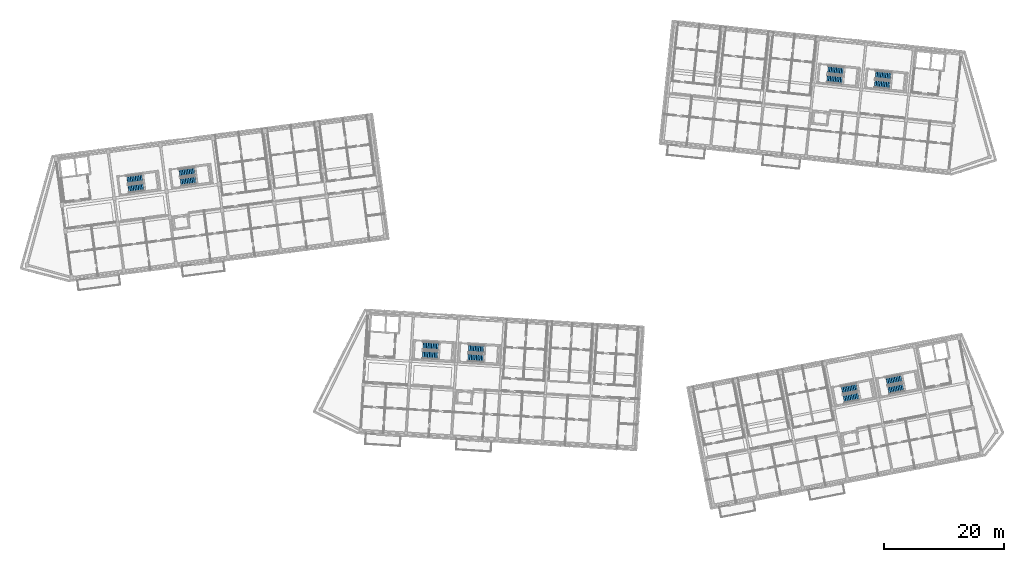
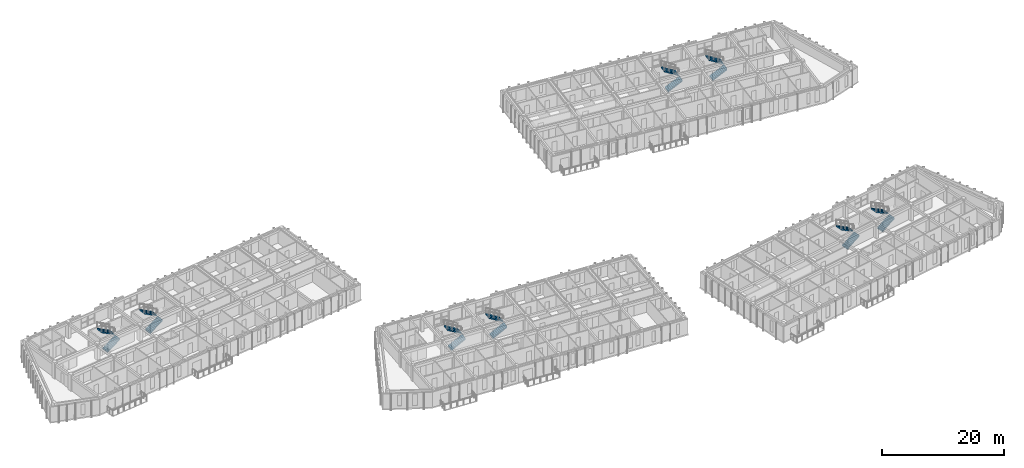
# One storey, part 40 of 66: 16 stair flights, 8 elements without a shape of their own.
"""IFC4 building model written with IfcOpenShell, lengths in metres."""

import ifcopenshell
import ifcopenshell.guid

model = None  # the IFC model being written
_history = None  # IfcOwnerHistory: only IFC2X3 demands one
_inside = {}  # id of a spatial element -> (the spatial element, [elements in it])
_under = {}  # id of a project, library or spatial element -> (it, [spatial elements below it])
_declared = {}  # id of a project -> (the project, [libraries it declares])
_typed = {}  # id of a type object -> (the type object, [elements of that type])
_made_of = {}  # id of a material, layer set ... -> (it, [elements and type objects made of it])


def new_model(schema):
    """Start an empty IFC model of exactly this schema.

    Asked for "IFC4X3", IfcOpenShell would pick the latest addendum, in which some entities
    have other attributes; the version numbers below select the first issue.
    IFC2X3 requires an IfcOwnerHistory on every rooted entity: one is made here for all.
    """
    global model, _history
    if schema == "IFC4X3":
        model = ifcopenshell.file(schema_version=(4, 3, 0, 0))
    else:
        model = ifcopenshell.file(schema=schema)
    _inside.clear()
    _under.clear()
    _declared.clear()
    _typed.clear()
    _made_of.clear()
    _history = None
    if model.schema == "IFC2X3":
        org = make("IfcOrganization", Name="unknown")
        user = make(
            "IfcPersonAndOrganization",
            ThePerson=make("IfcPerson", FamilyName="unknown"),
            TheOrganization=org,
        )
        app = make(
            "IfcApplication",
            ApplicationDeveloper=org,
            Version="unknown",
            ApplicationFullName="unknown",
            ApplicationIdentifier="unknown",
        )
        _history = make(
            "IfcOwnerHistory",
            OwningUser=user,
            OwningApplication=app,
            ChangeAction="ADDED",
            CreationDate=0,
        )
    return model


def make(cls, **values):
    """One entity of the class cls with the attributes given. An attribute that is None is left unset."""
    return model.create_entity(
        cls, **{name: value for name, value in values.items() if value is not None}
    )


def rooted(cls, **values):
    """An entity with a GlobalId (a new one), such as an element, a storey or a relation."""
    return make(cls, GlobalId=ifcopenshell.guid.new(), OwnerHistory=_history, **values)


def si_unit(unit_type, name, prefix=None):
    """IfcSIUnit, for example si_unit("LENGTHUNIT", "METRE", prefix="MILLI")."""
    return make("IfcSIUnit", UnitType=unit_type, Prefix=prefix, Name=name)


def assignment(units):
    """IfcUnitAssignment: the units of a project."""
    return None if units is None else make("IfcUnitAssignment", Units=units)


def point(xyz):
    """IfcCartesianPoint."""
    return None if xyz is None else make("IfcCartesianPoint", Coordinates=xyz)


def direction(xyz):
    """IfcDirection."""
    return None if xyz is None else make("IfcDirection", DirectionRatios=xyz)


def frame(location, z_axis=None, x_axis=None):
    """IfcAxis2Placement3D, a coordinate frame: its origin and axes. An axis left out is left unset."""
    return make(
        "IfcAxis2Placement3D",
        Location=point(location),
        Axis=direction(z_axis),
        RefDirection=direction(x_axis),
    )


def origin():
    """The frame at (0, 0, 0) with its axes left unset."""
    return frame((0.0, 0.0, 0.0))


def place(relative_to, where):
    """IfcLocalPlacement: puts the frame where relative to a parent placement (None: the world)."""
    return make(
        "IfcLocalPlacement", PlacementRelTo=relative_to, RelativePlacement=where
    )


def context(
    kind, dimensions, precision=None, world=None, true_north=None, identifier=None
):
    """IfcGeometricRepresentationContext, for example the 3D "Model" context."""
    return make(
        "IfcGeometricRepresentationContext",
        ContextIdentifier=identifier,
        ContextType=kind,
        CoordinateSpaceDimension=dimensions,
        Precision=precision,
        WorldCoordinateSystem=world,
        TrueNorth=true_north,
    )


def subcontext(parent, identifier, kind, view, scale=None):
    """IfcGeometricRepresentationSubContext, for example "Body" below "Model"."""
    return make(
        "IfcGeometricRepresentationSubContext",
        ContextIdentifier=identifier,
        ContextType=kind,
        ParentContext=parent,
        TargetScale=scale,
        TargetView=view,
    )


def project(units=None, contexts=None):
    """IfcProject with its units and contexts."""
    return rooted(
        "IfcProject",
        Name="project",
        RepresentationContexts=contexts,
        UnitsInContext=assignment(units),
    )


def spatial(cls, under=None, at=None, **own):
    """A site, building, storey or space (cls), placed at a placement, below another one or the project."""
    s = rooted(cls, ObjectPlacement=at, **own)
    if under is not None:
        _under.setdefault(under.id(), (under, []))[1].append(s)
    return s


def polyline(points):
    """IfcPolyline through the points."""
    return make("IfcPolyline", Points=[point(p) for p in points])


def outline(outer, holes=None, kind="AREA"):
    """IfcArbitraryClosedProfileDef: a profile drawn as a closed curve; with holes, ...WithVoids."""
    if holes is None:
        return make("IfcArbitraryClosedProfileDef", ProfileType=kind, OuterCurve=outer)
    return make(
        "IfcArbitraryProfileDefWithVoids",
        ProfileType=kind,
        OuterCurve=outer,
        InnerCurves=holes,
    )


def extrude(swept, where, along, depth):
    """IfcExtrudedAreaSolid: the profile swept, set in the frame where, extruded along a direction by depth."""
    return make(
        "IfcExtrudedAreaSolid",
        SweptArea=swept,
        Position=where,
        ExtrudedDirection=direction(along),
        Depth=depth,
    )


def shape(context_of_items, identifier, shape_type, items):
    """IfcShapeRepresentation: the items that make up one representation, for example the "Body"."""
    return make(
        "IfcShapeRepresentation",
        ContextOfItems=context_of_items,
        RepresentationIdentifier=identifier,
        RepresentationType=shape_type,
        Items=items,
    )


def material(Name=None, Category=None):
    """IfcMaterial."""
    return make("IfcMaterial", Name=Name, Category=Category)


def made_of(thing, what):
    """Note that an element or type object is made of a material, layer set ...; save() writes the relation."""
    if what is not None:
        _made_of.setdefault(what.id(), (what, []))[1].append(thing)
    return thing


def type_object(cls, material=None, **own):
    """A type object (cls), such as IfcWallType, which elements share."""
    return made_of(rooted(cls, **own), material)


def element(
    cls,
    number,
    at=None,
    inside=None,
    cuts=None,
    type_object=None,
    material=None,
    context=None,
    identifier="Body",
    shape_type=None,
    held_by="IfcProductDefinitionShape",
    body=None,
    shapes=None,
    **own,
):
    """One element of the class cls, such as IfcWall. Its Tag is "e" and its number.

    at: its placement. inside: the storey or other place that contains it. cuts: it is an
    opening in that element (IfcRelVoidsElement). A single representation is given by context,
    identifier, shape_type and body (its items); several are given by shapes. held_by: the class
    of the entity that holds the representations. save() writes the other relations.
    """
    e = rooted(cls, Tag="e%d" % number, ObjectPlacement=at, **own)
    if body is not None:
        shapes = [shape(context, identifier, shape_type, body)]
    if shapes is not None:
        e.Representation = make(held_by, Representations=shapes)
    if inside is not None:
        _inside.setdefault(inside.id(), (inside, []))[1].append(e)
    if cuts is not None:
        rooted(
            "IfcRelVoidsElement", RelatingBuildingElement=cuts, RelatedOpeningElement=e
        )
    if type_object is not None:
        _typed.setdefault(type_object.id(), (type_object, []))[1].append(e)
    return made_of(e, material)


def aggregate(whole, parts):
    """IfcRelAggregates: a whole, such as a stair, and the parts it consists of."""
    return rooted("IfcRelAggregates", RelatingObject=whole, RelatedObjects=parts)


def save(model, path):
    """Write the relations noted so far, then the file.

    IfcRelAggregates (storeys below a building ...), IfcRelContainedInSpatialStructure (elements
    in a storey), IfcRelDefinesByType, IfcRelAssociatesMaterial and IfcRelDeclares: one each for
    every whole, place, type object, material and project.
    """
    for whole, parts in _under.values():
        aggregate(whole, parts)
    for where, things in _inside.values():
        rooted(
            "IfcRelContainedInSpatialStructure",
            RelatedElements=things,
            RelatingStructure=where,
        )
    for kind, things in _typed.values():
        rooted("IfcRelDefinesByType", RelatedObjects=things, RelatingType=kind)
    for what, things in _made_of.values():
        rooted("IfcRelAssociatesMaterial", RelatedObjects=things, RelatingMaterial=what)
    for by, libraries in _declared.values():
        rooted("IfcRelDeclares", RelatingContext=by, RelatedDefinitions=libraries)
    model.write(path)


model = new_model("IFC4")

# Units and contexts
model_context = context("Model", 3, precision=1e-05, world=origin(), true_north=direction((0.0, 1.0)))
body_context = subcontext(model_context, "Body", "Model", "MODEL_VIEW")
ifc_project = project(units=[si_unit("LENGTHUNIT", "METRE"), si_unit("AREAUNIT", "SQUARE_METRE"), si_unit("VOLUMEUNIT", "CUBIC_METRE"), si_unit("PLANEANGLEUNIT", "RADIAN"), si_unit("MASSUNIT", "GRAM", prefix="KILO")], contexts=[model_context])

# Site, building, storey
site_placement = place(None, origin())
site = spatial("IfcSite", under=ifc_project, at=site_placement, CompositionType="ELEMENT")
building_placement = place(site_placement, origin())
building = spatial("IfcBuilding", under=site, at=building_placement, Name="Kestramere Prow Commons", CompositionType="ELEMENT")
storey_placement = place(building_placement, frame((0.0, 0.0, 14.89990234375)))
storey = spatial("IfcBuildingStorey", under=building, at=storey_placement, Name="L04", CompositionType="ELEMENT", Elevation=14.89990234375)

# Stair, stair flights
ifc_material = material(Name="Concrete C40/50", Category="concrete")
stair_type = type_object("IfcStairType", Name="ST-DOG-1350", PredefinedType="HALF_TURN_STAIR", material=ifc_material)
stair_1_placement = place(storey_placement, origin())
stair_1 = element("IfcStair", 1, at=stair_1_placement, inside=storey, type_object=stair_type, Name="L04 Block A Exit Stair 1", PredefinedType="HALF_TURN_STAIR")
stair_flight_type = type_object("IfcStairFlightType", Name="SFL-1350", PredefinedType="STRAIGHT", material=ifc_material)
stair_flight_1_placement = place(storey_placement, frame((20.70068359375, 86.79150390625, 0.0), z_axis=(0.0, 0.0, 1.0), x_axis=(0.991444861374, 0.13052619222, 0.0)))
stair_flight_1 = element("IfcStairFlight", 2, at=stair_flight_1_placement, type_object=stair_flight_type, Name="ST-A1 flight 1", NumberOfRisers=10, NumberOfTreads=9, PredefinedType="STRAIGHT", RiserHeight=0.1625, TreadLength=0.28, context=body_context, shape_type="SweptSolid", body=[
    extrude(outline(polyline([(-0.02490234375, 0.0), (0.0, 0.0), (0.0, 0.16259765625), (0.280029296875, 0.16259765625), (0.280029296875, 0.324951171875), (0.56005859375, 0.324951171875), (0.56005859375, 0.487548828125), (0.840087890625, 0.487548828125), (0.840087890625, 0.64990234375), (1.1201171875, 0.64990234375), (1.1201171875, 0.8125), (1.39990234375, 0.8125), (1.39990234375, 0.97509765625), (1.679931640625, 0.97509765625), (1.679931640625, 1.137451171875), (1.9599609375, 1.137451171875), (1.9599609375, 1.300048828125), (2.239990234375, 1.300048828125), (2.239990234375, 1.46240234375), (2.52001953125, 1.46240234375), (2.52001953125, 1.625), (2.544921875, 1.625), (2.544921875, 1.2890625), (0.0, -0.14990234375), (-0.02490234375, -0.14990234375), (-0.02490234375, 0.0)])), frame((0.0, 0.675048828125, 0.0), z_axis=(0.0, -1.0, 0.0), x_axis=(1.0, 0.0, 0.0)), (0.0, 0.0, 1.0), 1.35009765625),
])
stair_flight_2_placement = place(storey_placement, frame((23.003173828125, 88.607666015625, 1.625), z_axis=(0.0, 0.0, 1.0), x_axis=(-0.991444861374, -0.13052619222, 0.0)))
stair_flight_2 = element("IfcStairFlight", 3, at=stair_flight_2_placement, type_object=stair_flight_type, Name="ST-A1 flight 2", NumberOfRisers=10, NumberOfTreads=9, PredefinedType="STRAIGHT", RiserHeight=0.1625, TreadLength=0.28, context=body_context, shape_type="SweptSolid", body=[
    extrude(outline(polyline([(-0.02490234375, 0.0), (0.0, 0.0), (0.0, 0.16259765625), (0.280029296875, 0.16259765625), (0.280029296875, 0.324951171875), (0.56005859375, 0.324951171875), (0.56005859375, 0.487548828125), (0.840087890625, 0.487548828125), (0.840087890625, 0.64990234375), (1.1201171875, 0.64990234375), (1.1201171875, 0.8125), (1.39990234375, 0.8125), (1.39990234375, 0.97509765625), (1.679931640625, 0.97509765625), (1.679931640625, 1.137451171875), (1.9599609375, 1.137451171875), (1.9599609375, 1.300048828125), (2.239990234375, 1.300048828125), (2.239990234375, 1.46240234375), (2.52001953125, 1.46240234375), (2.52001953125, 1.625), (2.544921875, 1.625), (2.544921875, 1.2890625), (0.0, -0.14990234375), (-0.02490234375, -0.14990234375), (-0.02490234375, 0.0)])), frame((0.0, 0.675048828125, 0.0), z_axis=(0.0, -1.0, 0.0), x_axis=(1.0, 0.0, 0.0)), (0.0, 0.0, 1.0), 1.35009765625),
])
aggregate(stair_1, [stair_flight_1, stair_flight_2])

stair_2_placement = place(storey_placement, origin())
stair_2 = element("IfcStair", 4, at=stair_2_placement, inside=storey, type_object=stair_type, Name="L04 Block A Exit Stair 2", PredefinedType="HALF_TURN_STAIR")
stair_flight_3_placement = place(storey_placement, frame((29.42529296875, 87.940185546875, 0.0), z_axis=(0.0, 0.0, 1.0), x_axis=(0.991444861374, 0.13052619222, 0.0)))
stair_flight_3 = element("IfcStairFlight", 5, at=stair_flight_3_placement, type_object=stair_flight_type, Name="ST-A2 flight 1", NumberOfRisers=10, NumberOfTreads=9, PredefinedType="STRAIGHT", RiserHeight=0.1625, TreadLength=0.28, context=body_context, shape_type="SweptSolid", body=[
    extrude(outline(polyline([(-0.02490234375, 0.0), (0.0, 0.0), (0.0, 0.16259765625), (0.280029296875, 0.16259765625), (0.280029296875, 0.324951171875), (0.56005859375, 0.324951171875), (0.56005859375, 0.487548828125), (0.840087890625, 0.487548828125), (0.840087890625, 0.64990234375), (1.1201171875, 0.64990234375), (1.1201171875, 0.8125), (1.39990234375, 0.8125), (1.39990234375, 0.97509765625), (1.679931640625, 0.97509765625), (1.679931640625, 1.137451171875), (1.9599609375, 1.137451171875), (1.9599609375, 1.300048828125), (2.239990234375, 1.300048828125), (2.239990234375, 1.46240234375), (2.52001953125, 1.46240234375), (2.52001953125, 1.625), (2.544921875, 1.625), (2.544921875, 1.2890625), (0.0, -0.14990234375), (-0.02490234375, -0.14990234375), (-0.02490234375, 0.0)])), frame((0.0, 0.675048828125, 0.0), z_axis=(0.0, -1.0, 0.0), x_axis=(1.0, 0.0, 0.0)), (0.0, 0.0, 1.0), 1.35009765625),
])
stair_flight_4_placement = place(storey_placement, frame((31.72802734375, 89.75634765625, 1.625), z_axis=(0.0, 0.0, 1.0), x_axis=(-0.991444861374, -0.13052619222, 0.0)))
stair_flight_4 = element("IfcStairFlight", 6, at=stair_flight_4_placement, type_object=stair_flight_type, Name="ST-A2 flight 2", NumberOfRisers=10, NumberOfTreads=9, PredefinedType="STRAIGHT", RiserHeight=0.1625, TreadLength=0.28, context=body_context, shape_type="SweptSolid", body=[
    extrude(outline(polyline([(-0.02490234375, 0.0), (0.0, 0.0), (0.0, 0.16259765625), (0.280029296875, 0.16259765625), (0.280029296875, 0.324951171875), (0.56005859375, 0.324951171875), (0.56005859375, 0.487548828125), (0.840087890625, 0.487548828125), (0.840087890625, 0.64990234375), (1.1201171875, 0.64990234375), (1.1201171875, 0.8125), (1.39990234375, 0.8125), (1.39990234375, 0.97509765625), (1.679931640625, 0.97509765625), (1.679931640625, 1.137451171875), (1.9599609375, 1.137451171875), (1.9599609375, 1.300048828125), (2.239990234375, 1.300048828125), (2.239990234375, 1.46240234375), (2.52001953125, 1.46240234375), (2.52001953125, 1.625), (2.544921875, 1.625), (2.544921875, 1.2890625), (0.0, -0.14990234375), (-0.02490234375, -0.14990234375), (-0.02490234375, 0.0)])), frame((0.0, 0.675048828125, 0.0), z_axis=(0.0, -1.0, 0.0), x_axis=(1.0, 0.0, 0.0)), (0.0, 0.0, 1.0), 1.35009765625),
])
aggregate(stair_2, [stair_flight_3, stair_flight_4])

stair_3_placement = place(storey_placement, origin())
stair_3 = element("IfcStair", 7, at=stair_3_placement, inside=storey, type_object=stair_type, Name="L04 Block B Exit Stair 1", PredefinedType="HALF_TURN_STAIR")
stair_flight_5_placement = place(storey_placement, frame((137.38916015625, 105.21923828125, 0.0), z_axis=(0.0, 0.0, 1.0), x_axis=(0.994521895368, -0.104528463268, 0.0)))
stair_flight_5 = element("IfcStairFlight", 8, at=stair_flight_5_placement, type_object=stair_flight_type, Name="ST-B1 flight 1", NumberOfRisers=10, NumberOfTreads=9, PredefinedType="STRAIGHT", RiserHeight=0.1625, TreadLength=0.28, context=body_context, shape_type="SweptSolid", body=[
    extrude(outline(polyline([(-0.02490234375, 0.0), (0.0, 0.0), (0.0, 0.16259765625), (0.280029296875, 0.16259765625), (0.280029296875, 0.324951171875), (0.56005859375, 0.324951171875), (0.56005859375, 0.487548828125), (0.840087890625, 0.487548828125), (0.840087890625, 0.64990234375), (1.1201171875, 0.64990234375), (1.1201171875, 0.8125), (1.39990234375, 0.8125), (1.39990234375, 0.97509765625), (1.679931640625, 0.97509765625), (1.679931640625, 1.137451171875), (1.9599609375, 1.137451171875), (1.9599609375, 1.300048828125), (2.239990234375, 1.300048828125), (2.239990234375, 1.46240234375), (2.52001953125, 1.46240234375), (2.52001953125, 1.625), (2.544921875, 1.625), (2.544921875, 1.2890625), (0.0, -0.14990234375), (-0.02490234375, -0.14990234375), (-0.02490234375, 0.0)])), frame((0.0, 0.675048828125, 0.0), z_axis=(0.0, -1.0, 0.0), x_axis=(1.0, 0.0, 0.0)), (0.0, 0.0, 1.0), 1.35009765625),
])
stair_flight_6_placement = place(storey_placement, frame((140.052001953125, 106.447509765625, 1.625), z_axis=(0.0, 0.0, 1.0), x_axis=(-0.994521895368, 0.104528463268, 0.0)))
stair_flight_6 = element("IfcStairFlight", 9, at=stair_flight_6_placement, type_object=stair_flight_type, Name="ST-B1 flight 2", NumberOfRisers=10, NumberOfTreads=9, PredefinedType="STRAIGHT", RiserHeight=0.1625, TreadLength=0.28, context=body_context, shape_type="SweptSolid", body=[
    extrude(outline(polyline([(-0.02490234375, 0.0), (0.0, 0.0), (0.0, 0.16259765625), (0.280029296875, 0.16259765625), (0.280029296875, 0.324951171875), (0.56005859375, 0.324951171875), (0.56005859375, 0.487548828125), (0.840087890625, 0.487548828125), (0.840087890625, 0.64990234375), (1.1201171875, 0.64990234375), (1.1201171875, 0.8125), (1.39990234375, 0.8125), (1.39990234375, 0.97509765625), (1.679931640625, 0.97509765625), (1.679931640625, 1.137451171875), (1.9599609375, 1.137451171875), (1.9599609375, 1.300048828125), (2.239990234375, 1.300048828125), (2.239990234375, 1.46240234375), (2.52001953125, 1.46240234375), (2.52001953125, 1.625), (2.544921875, 1.625), (2.544921875, 1.2890625), (0.0, -0.14990234375), (-0.02490234375, -0.14990234375), (-0.02490234375, 0.0)])), frame((0.0, 0.675048828125, 0.0), z_axis=(0.0, -1.0, 0.0), x_axis=(1.0, 0.0, 0.0)), (0.0, 0.0, 1.0), 1.35009765625),
])
aggregate(stair_3, [stair_flight_5, stair_flight_6])

stair_4_placement = place(storey_placement, origin())
stair_4 = element("IfcStair", 10, at=stair_4_placement, inside=storey, type_object=stair_type, Name="L04 Block B Exit Stair 2", PredefinedType="HALF_TURN_STAIR")
stair_flight_7_placement = place(storey_placement, frame((145.34521484375, 104.3828125, 0.0), z_axis=(0.0, 0.0, 1.0), x_axis=(0.994521895368, -0.104528463268, 0.0)))
stair_flight_7 = element("IfcStairFlight", 11, at=stair_flight_7_placement, type_object=stair_flight_type, Name="ST-B2 flight 1", NumberOfRisers=10, NumberOfTreads=9, PredefinedType="STRAIGHT", RiserHeight=0.1625, TreadLength=0.28, context=body_context, shape_type="SweptSolid", body=[
    extrude(outline(polyline([(-0.02490234375, 0.0), (0.0, 0.0), (0.0, 0.16259765625), (0.280029296875, 0.16259765625), (0.280029296875, 0.324951171875), (0.56005859375, 0.324951171875), (0.56005859375, 0.487548828125), (0.840087890625, 0.487548828125), (0.840087890625, 0.64990234375), (1.1201171875, 0.64990234375), (1.1201171875, 0.8125), (1.39990234375, 0.8125), (1.39990234375, 0.97509765625), (1.679931640625, 0.97509765625), (1.679931640625, 1.137451171875), (1.9599609375, 1.137451171875), (1.9599609375, 1.300048828125), (2.239990234375, 1.300048828125), (2.239990234375, 1.46240234375), (2.52001953125, 1.46240234375), (2.52001953125, 1.625), (2.544921875, 1.625), (2.544921875, 1.2890625), (0.0, -0.14990234375), (-0.02490234375, -0.14990234375), (-0.02490234375, 0.0)])), frame((0.0, 0.675048828125, 0.0), z_axis=(0.0, -1.0, 0.0), x_axis=(1.0, 0.0, 0.0)), (0.0, 0.0, 1.0), 1.35009765625),
])
stair_flight_8_placement = place(storey_placement, frame((148.00830078125, 105.611328125, 1.625), z_axis=(0.0, 0.0, 1.0), x_axis=(-0.994521895368, 0.104528463268, 0.0)))
stair_flight_8 = element("IfcStairFlight", 12, at=stair_flight_8_placement, type_object=stair_flight_type, Name="ST-B2 flight 2", NumberOfRisers=10, NumberOfTreads=9, PredefinedType="STRAIGHT", RiserHeight=0.1625, TreadLength=0.28, context=body_context, shape_type="SweptSolid", body=[
    extrude(outline(polyline([(-0.02490234375, 0.0), (0.0, 0.0), (0.0, 0.16259765625), (0.280029296875, 0.16259765625), (0.280029296875, 0.324951171875), (0.56005859375, 0.324951171875), (0.56005859375, 0.487548828125), (0.840087890625, 0.487548828125), (0.840087890625, 0.64990234375), (1.1201171875, 0.64990234375), (1.1201171875, 0.8125), (1.39990234375, 0.8125), (1.39990234375, 0.97509765625), (1.679931640625, 0.97509765625), (1.679931640625, 1.137451171875), (1.9599609375, 1.137451171875), (1.9599609375, 1.300048828125), (2.239990234375, 1.300048828125), (2.239990234375, 1.46240234375), (2.52001953125, 1.46240234375), (2.52001953125, 1.625), (2.544921875, 1.625), (2.544921875, 1.2890625), (0.0, -0.14990234375), (-0.02490234375, -0.14990234375), (-0.02490234375, 0.0)])), frame((0.0, 0.675048828125, 0.0), z_axis=(0.0, -1.0, 0.0), x_axis=(1.0, 0.0, 0.0)), (0.0, 0.0, 1.0), 1.35009765625),
])
aggregate(stair_4, [stair_flight_7, stair_flight_8])

stair_5_placement = place(storey_placement, origin())
stair_5 = element("IfcStair", 13, at=stair_5_placement, inside=storey, type_object=stair_type, Name="L04 Block C Exit Stair 1", PredefinedType="HALF_TURN_STAIR")
stair_flight_9_placement = place(storey_placement, frame((69.839599609375, 59.117431640625, 0.0), z_axis=(0.0, 0.0, 1.0), x_axis=(0.998134798422, -0.061048539535, 0.0)))
stair_flight_9 = element("IfcStairFlight", 14, at=stair_flight_9_placement, type_object=stair_flight_type, Name="ST-C1 flight 1", NumberOfRisers=10, NumberOfTreads=9, PredefinedType="STRAIGHT", RiserHeight=0.1625, TreadLength=0.28, context=body_context, shape_type="SweptSolid", body=[
    extrude(outline(polyline([(-0.02490234375, 0.0), (0.0, 0.0), (0.0, 0.16259765625), (0.280029296875, 0.16259765625), (0.280029296875, 0.324951171875), (0.56005859375, 0.324951171875), (0.56005859375, 0.487548828125), (0.840087890625, 0.487548828125), (0.840087890625, 0.64990234375), (1.1201171875, 0.64990234375), (1.1201171875, 0.8125), (1.39990234375, 0.8125), (1.39990234375, 0.97509765625), (1.679931640625, 0.97509765625), (1.679931640625, 1.137451171875), (1.9599609375, 1.137451171875), (1.9599609375, 1.300048828125), (2.239990234375, 1.300048828125), (2.239990234375, 1.46240234375), (2.52001953125, 1.46240234375), (2.52001953125, 1.625), (2.544921875, 1.625), (2.544921875, 1.2890625), (0.0, -0.14990234375), (-0.02490234375, -0.14990234375), (-0.02490234375, 0.0)])), frame((0.0, 0.675048828125, 0.0), z_axis=(0.0, -1.0, 0.0), x_axis=(1.0, 0.0, 0.0)), (0.0, 0.0, 1.0), 1.35009765625),
])
stair_flight_10_placement = place(storey_placement, frame((72.446533203125, 60.460693359375, 1.625), z_axis=(0.0, 0.0, 1.0), x_axis=(-0.998134798422, 0.061048539535, 0.0)))
stair_flight_10 = element("IfcStairFlight", 15, at=stair_flight_10_placement, type_object=stair_flight_type, Name="ST-C1 flight 2", NumberOfRisers=10, NumberOfTreads=9, PredefinedType="STRAIGHT", RiserHeight=0.1625, TreadLength=0.28, context=body_context, shape_type="SweptSolid", body=[
    extrude(outline(polyline([(-0.02490234375, 0.0), (0.0, 0.0), (0.0, 0.16259765625), (0.280029296875, 0.16259765625), (0.280029296875, 0.324951171875), (0.56005859375, 0.324951171875), (0.56005859375, 0.487548828125), (0.840087890625, 0.487548828125), (0.840087890625, 0.64990234375), (1.1201171875, 0.64990234375), (1.1201171875, 0.8125), (1.39990234375, 0.8125), (1.39990234375, 0.97509765625), (1.679931640625, 0.97509765625), (1.679931640625, 1.137451171875), (1.9599609375, 1.137451171875), (1.9599609375, 1.300048828125), (2.239990234375, 1.300048828125), (2.239990234375, 1.46240234375), (2.52001953125, 1.46240234375), (2.52001953125, 1.625), (2.544921875, 1.625), (2.544921875, 1.2890625), (0.0, -0.14990234375), (-0.02490234375, -0.14990234375), (-0.02490234375, 0.0)])), frame((0.0, 0.675048828125, 0.0), z_axis=(0.0, -1.0, 0.0), x_axis=(1.0, 0.0, 0.0)), (0.0, 0.0, 1.0), 1.35009765625),
])
aggregate(stair_5, [stair_flight_9, stair_flight_10])

stair_6_placement = place(storey_placement, origin())
stair_6 = element("IfcStair", 16, at=stair_6_placement, inside=storey, type_object=stair_type, Name="L04 Block C Exit Stair 2", PredefinedType="HALF_TURN_STAIR")
stair_flight_11_placement = place(storey_placement, frame((77.42529296875, 58.6533203125, 0.0), z_axis=(0.0, 0.0, 1.0), x_axis=(0.998134798422, -0.061048539535, 0.0)))
stair_flight_11 = element("IfcStairFlight", 17, at=stair_flight_11_placement, type_object=stair_flight_type, Name="ST-C2 flight 1", NumberOfRisers=10, NumberOfTreads=9, PredefinedType="STRAIGHT", RiserHeight=0.1625, TreadLength=0.28, context=body_context, shape_type="SweptSolid", body=[
    extrude(outline(polyline([(-0.02490234375, 0.0), (0.0, 0.0), (0.0, 0.16259765625), (0.280029296875, 0.16259765625), (0.280029296875, 0.324951171875), (0.56005859375, 0.324951171875), (0.56005859375, 0.487548828125), (0.840087890625, 0.487548828125), (0.840087890625, 0.64990234375), (1.1201171875, 0.64990234375), (1.1201171875, 0.8125), (1.39990234375, 0.8125), (1.39990234375, 0.97509765625), (1.679931640625, 0.97509765625), (1.679931640625, 1.137451171875), (1.9599609375, 1.137451171875), (1.9599609375, 1.300048828125), (2.239990234375, 1.300048828125), (2.239990234375, 1.46240234375), (2.52001953125, 1.46240234375), (2.52001953125, 1.625), (2.544921875, 1.625), (2.544921875, 1.2890625), (0.0, -0.14990234375), (-0.02490234375, -0.14990234375), (-0.02490234375, 0.0)])), frame((0.0, 0.675048828125, 0.0), z_axis=(0.0, -1.0, 0.0), x_axis=(1.0, 0.0, 0.0)), (0.0, 0.0, 1.0), 1.35009765625),
])
stair_flight_12_placement = place(storey_placement, frame((80.0322265625, 59.996826171875, 1.625), z_axis=(0.0, 0.0, 1.0), x_axis=(-0.998134798422, 0.061048539535, 0.0)))
stair_flight_12 = element("IfcStairFlight", 18, at=stair_flight_12_placement, type_object=stair_flight_type, Name="ST-C2 flight 2", NumberOfRisers=10, NumberOfTreads=9, PredefinedType="STRAIGHT", RiserHeight=0.1625, TreadLength=0.28, context=body_context, shape_type="SweptSolid", body=[
    extrude(outline(polyline([(-0.02490234375, 0.0), (0.0, 0.0), (0.0, 0.16259765625), (0.280029296875, 0.16259765625), (0.280029296875, 0.324951171875), (0.56005859375, 0.324951171875), (0.56005859375, 0.487548828125), (0.840087890625, 0.487548828125), (0.840087890625, 0.64990234375), (1.1201171875, 0.64990234375), (1.1201171875, 0.8125), (1.39990234375, 0.8125), (1.39990234375, 0.97509765625), (1.679931640625, 0.97509765625), (1.679931640625, 1.137451171875), (1.9599609375, 1.137451171875), (1.9599609375, 1.300048828125), (2.239990234375, 1.300048828125), (2.239990234375, 1.46240234375), (2.52001953125, 1.46240234375), (2.52001953125, 1.625), (2.544921875, 1.625), (2.544921875, 1.2890625), (0.0, -0.14990234375), (-0.02490234375, -0.14990234375), (-0.02490234375, 0.0)])), frame((0.0, 0.675048828125, 0.0), z_axis=(0.0, -1.0, 0.0), x_axis=(1.0, 0.0, 0.0)), (0.0, 0.0, 1.0), 1.35009765625),
])
aggregate(stair_6, [stair_flight_11, stair_flight_12])

stair_7_placement = place(storey_placement, origin())
stair_7 = element("IfcStair", 19, at=stair_7_placement, inside=storey, type_object=stair_type, Name="L04 Block D Exit Stair 1", PredefinedType="HALF_TURN_STAIR")
stair_flight_13_placement = place(storey_placement, frame((140.171875, 51.70458984375, 0.0), z_axis=(0.0, 0.0, 1.0), x_axis=(0.981627183448, 0.190808995377, 0.0)))
stair_flight_13 = element("IfcStairFlight", 20, at=stair_flight_13_placement, type_object=stair_flight_type, Name="ST-D1 flight 1", NumberOfRisers=10, NumberOfTreads=9, PredefinedType="STRAIGHT", RiserHeight=0.1625, TreadLength=0.28, context=body_context, shape_type="SweptSolid", body=[
    extrude(outline(polyline([(-0.02490234375, 0.0), (0.0, 0.0), (0.0, 0.16259765625), (0.280029296875, 0.16259765625), (0.280029296875, 0.324951171875), (0.56005859375, 0.324951171875), (0.56005859375, 0.487548828125), (0.840087890625, 0.487548828125), (0.840087890625, 0.64990234375), (1.1201171875, 0.64990234375), (1.1201171875, 0.8125), (1.39990234375, 0.8125), (1.39990234375, 0.97509765625), (1.679931640625, 0.97509765625), (1.679931640625, 1.137451171875), (1.9599609375, 1.137451171875), (1.9599609375, 1.300048828125), (2.239990234375, 1.300048828125), (2.239990234375, 1.46240234375), (2.52001953125, 1.46240234375), (2.52001953125, 1.625), (2.544921875, 1.625), (2.544921875, 1.2890625), (0.0, -0.14990234375), (-0.02490234375, -0.14990234375), (-0.02490234375, 0.0)])), frame((0.0, 0.675048828125, 0.0), z_axis=(0.0, -1.0, 0.0), x_axis=(1.0, 0.0, 0.0)), (0.0, 0.0, 1.0), 1.35009765625),
])
stair_flight_14_placement = place(storey_placement, frame((142.359375, 53.65771484375, 1.625), z_axis=(0.0, 0.0, 1.0), x_axis=(-0.981627183448, -0.190808995377, 0.0)))
stair_flight_14 = element("IfcStairFlight", 21, at=stair_flight_14_placement, type_object=stair_flight_type, Name="ST-D1 flight 2", NumberOfRisers=10, NumberOfTreads=9, PredefinedType="STRAIGHT", RiserHeight=0.1625, TreadLength=0.28, context=body_context, shape_type="SweptSolid", body=[
    extrude(outline(polyline([(-0.02490234375, 0.0), (0.0, 0.0), (0.0, 0.16259765625), (0.280029296875, 0.16259765625), (0.280029296875, 0.324951171875), (0.56005859375, 0.324951171875), (0.56005859375, 0.487548828125), (0.840087890625, 0.487548828125), (0.840087890625, 0.64990234375), (1.1201171875, 0.64990234375), (1.1201171875, 0.8125), (1.39990234375, 0.8125), (1.39990234375, 0.97509765625), (1.679931640625, 0.97509765625), (1.679931640625, 1.137451171875), (1.9599609375, 1.137451171875), (1.9599609375, 1.300048828125), (2.239990234375, 1.300048828125), (2.239990234375, 1.46240234375), (2.52001953125, 1.46240234375), (2.52001953125, 1.625), (2.544921875, 1.625), (2.544921875, 1.2890625), (0.0, -0.14990234375), (-0.02490234375, -0.14990234375), (-0.02490234375, 0.0)])), frame((0.0, 0.675048828125, 0.0), z_axis=(0.0, -1.0, 0.0), x_axis=(1.0, 0.0, 0.0)), (0.0, 0.0, 1.0), 1.35009765625),
])
aggregate(stair_7, [stair_flight_13, stair_flight_14])

stair_8_placement = place(storey_placement, origin())
stair_8 = element("IfcStair", 22, at=stair_8_placement, inside=storey, type_object=stair_type, Name="L04 Block D Exit Stair 2", PredefinedType="HALF_TURN_STAIR")
stair_flight_15_placement = place(storey_placement, frame((147.632080078125, 53.15478515625, 0.0), z_axis=(0.0, 0.0, 1.0), x_axis=(0.981627183448, 0.190808995377, 0.0)))
stair_flight_15 = element("IfcStairFlight", 23, at=stair_flight_15_placement, type_object=stair_flight_type, Name="ST-D2 flight 1", NumberOfRisers=10, NumberOfTreads=9, PredefinedType="STRAIGHT", RiserHeight=0.1625, TreadLength=0.28, context=body_context, shape_type="SweptSolid", body=[
    extrude(outline(polyline([(-0.02490234375, 0.0), (0.0, 0.0), (0.0, 0.16259765625), (0.280029296875, 0.16259765625), (0.280029296875, 0.324951171875), (0.56005859375, 0.324951171875), (0.56005859375, 0.487548828125), (0.840087890625, 0.487548828125), (0.840087890625, 0.64990234375), (1.1201171875, 0.64990234375), (1.1201171875, 0.8125), (1.39990234375, 0.8125), (1.39990234375, 0.97509765625), (1.679931640625, 0.97509765625), (1.679931640625, 1.137451171875), (1.9599609375, 1.137451171875), (1.9599609375, 1.300048828125), (2.239990234375, 1.300048828125), (2.239990234375, 1.46240234375), (2.52001953125, 1.46240234375), (2.52001953125, 1.625), (2.544921875, 1.625), (2.544921875, 1.2890625), (0.0, -0.14990234375), (-0.02490234375, -0.14990234375), (-0.02490234375, 0.0)])), frame((0.0, 0.675048828125, 0.0), z_axis=(0.0, -1.0, 0.0), x_axis=(1.0, 0.0, 0.0)), (0.0, 0.0, 1.0), 1.35009765625),
])
stair_flight_16_placement = place(storey_placement, frame((149.819580078125, 55.10791015625, 1.625), z_axis=(0.0, 0.0, 1.0), x_axis=(-0.981627183448, -0.190808995377, 0.0)))
stair_flight_16 = element("IfcStairFlight", 24, at=stair_flight_16_placement, type_object=stair_flight_type, Name="ST-D2 flight 2", NumberOfRisers=10, NumberOfTreads=9, PredefinedType="STRAIGHT", RiserHeight=0.1625, TreadLength=0.28, context=body_context, shape_type="SweptSolid", body=[
    extrude(outline(polyline([(-0.02490234375, 0.0), (0.0, 0.0), (0.0, 0.16259765625), (0.280029296875, 0.16259765625), (0.280029296875, 0.324951171875), (0.56005859375, 0.324951171875), (0.56005859375, 0.487548828125), (0.840087890625, 0.487548828125), (0.840087890625, 0.64990234375), (1.1201171875, 0.64990234375), (1.1201171875, 0.8125), (1.39990234375, 0.8125), (1.39990234375, 0.97509765625), (1.679931640625, 0.97509765625), (1.679931640625, 1.137451171875), (1.9599609375, 1.137451171875), (1.9599609375, 1.300048828125), (2.239990234375, 1.300048828125), (2.239990234375, 1.46240234375), (2.52001953125, 1.46240234375), (2.52001953125, 1.625), (2.544921875, 1.625), (2.544921875, 1.2890625), (0.0, -0.14990234375), (-0.02490234375, -0.14990234375), (-0.02490234375, 0.0)])), frame((0.0, 0.675048828125, 0.0), z_axis=(0.0, -1.0, 0.0), x_axis=(1.0, 0.0, 0.0)), (0.0, 0.0, 1.0), 1.35009765625),
])
aggregate(stair_8, [stair_flight_15, stair_flight_16])

save(model, "model.ifc")
